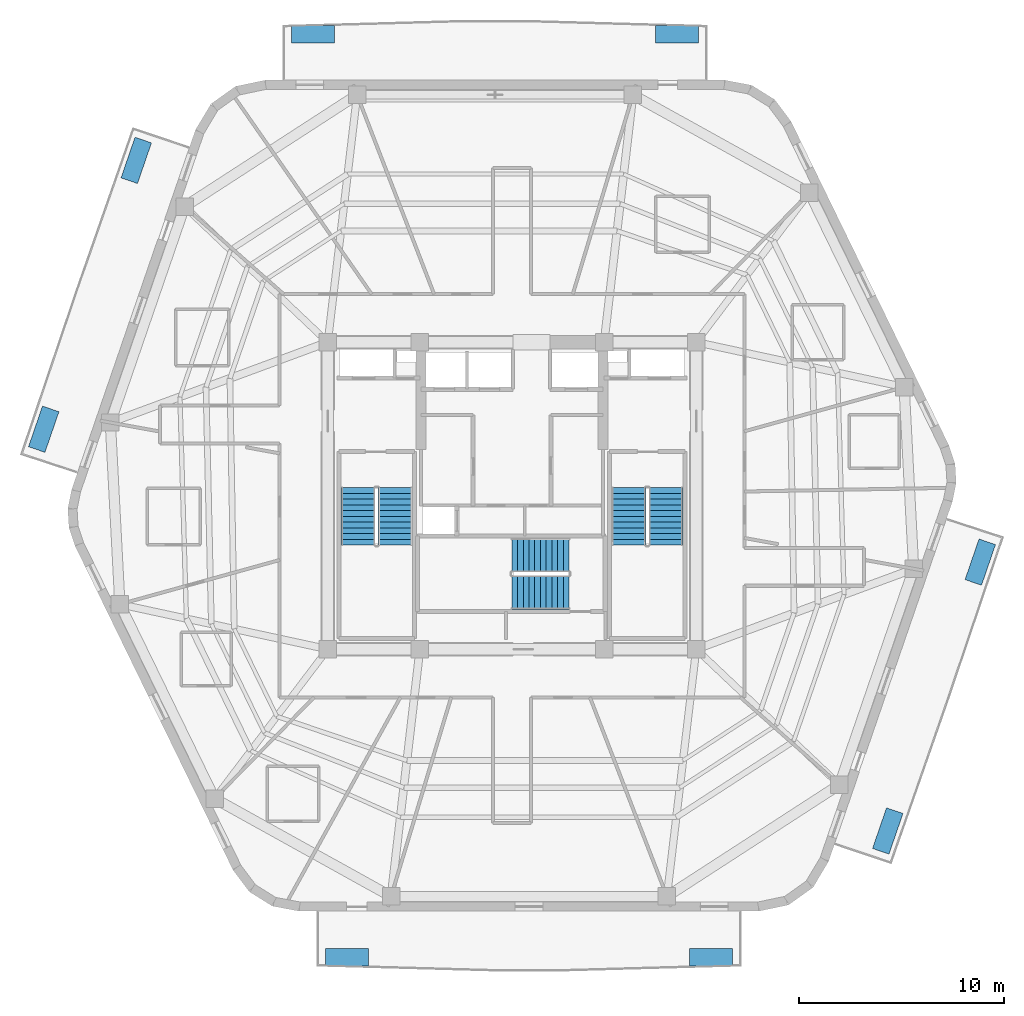
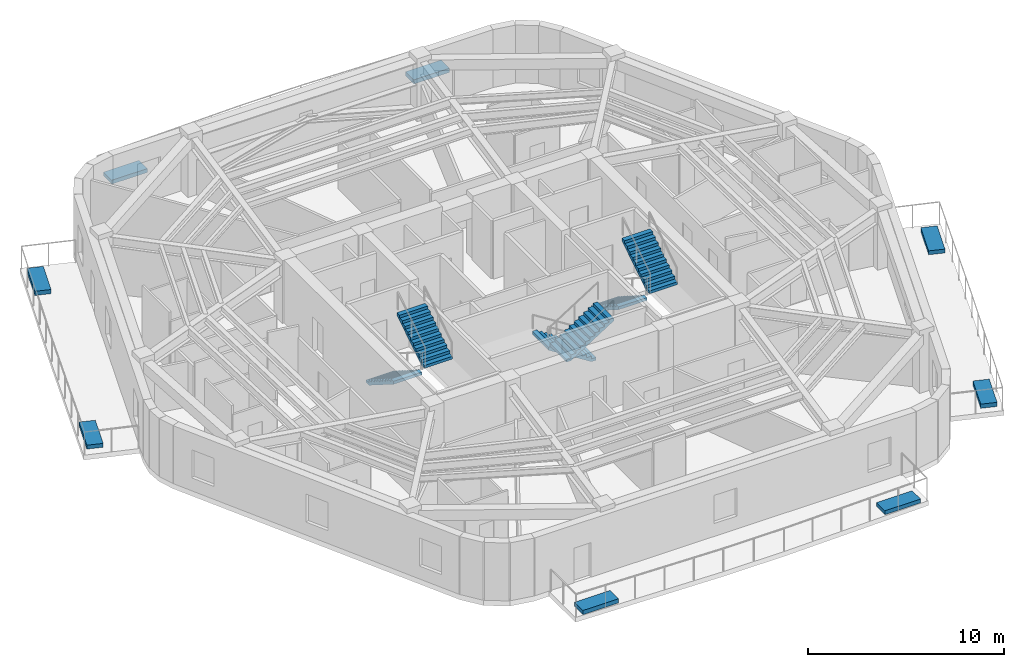
# One storey, part 7 of 9: 8 discrete accessories, 6 stair flights, 3 elements without a shape of their own.
"""IFC4 building model written with IfcOpenShell, lengths in metres."""

import ifcopenshell
import ifcopenshell.guid

model = None  # the IFC model being written
_history = None  # IfcOwnerHistory: only IFC2X3 demands one
_inside = {}  # id of a spatial element -> (the spatial element, [elements in it])
_under = {}  # id of a project, library or spatial element -> (it, [spatial elements below it])
_declared = {}  # id of a project -> (the project, [libraries it declares])
_typed = {}  # id of a type object -> (the type object, [elements of that type])
_made_of = {}  # id of a material, layer set ... -> (it, [elements and type objects made of it])


def new_model(schema):
    """Start an empty IFC model of exactly this schema.

    Asked for "IFC4X3", IfcOpenShell would pick the latest addendum, in which some entities
    have other attributes; the version numbers below select the first issue.
    IFC2X3 requires an IfcOwnerHistory on every rooted entity: one is made here for all.
    """
    global model, _history
    if schema == "IFC4X3":
        model = ifcopenshell.file(schema_version=(4, 3, 0, 0))
    else:
        model = ifcopenshell.file(schema=schema)
    _inside.clear()
    _under.clear()
    _declared.clear()
    _typed.clear()
    _made_of.clear()
    _history = None
    if model.schema == "IFC2X3":
        org = make("IfcOrganization", Name="unknown")
        user = make(
            "IfcPersonAndOrganization",
            ThePerson=make("IfcPerson", FamilyName="unknown"),
            TheOrganization=org,
        )
        app = make(
            "IfcApplication",
            ApplicationDeveloper=org,
            Version="unknown",
            ApplicationFullName="unknown",
            ApplicationIdentifier="unknown",
        )
        _history = make(
            "IfcOwnerHistory",
            OwningUser=user,
            OwningApplication=app,
            ChangeAction="ADDED",
            CreationDate=0,
        )
    return model


def make(cls, **values):
    """One entity of the class cls with the attributes given. An attribute that is None is left unset."""
    return model.create_entity(
        cls, **{name: value for name, value in values.items() if value is not None}
    )


def rooted(cls, **values):
    """An entity with a GlobalId (a new one), such as an element, a storey or a relation."""
    return make(cls, GlobalId=ifcopenshell.guid.new(), OwnerHistory=_history, **values)


def si_unit(unit_type, name, prefix=None):
    """IfcSIUnit, for example si_unit("LENGTHUNIT", "METRE", prefix="MILLI")."""
    return make("IfcSIUnit", UnitType=unit_type, Prefix=prefix, Name=name)


def assignment(units):
    """IfcUnitAssignment: the units of a project."""
    return None if units is None else make("IfcUnitAssignment", Units=units)


def point(xyz):
    """IfcCartesianPoint."""
    return None if xyz is None else make("IfcCartesianPoint", Coordinates=xyz)


def direction(xyz):
    """IfcDirection."""
    return None if xyz is None else make("IfcDirection", DirectionRatios=xyz)


def frame(location, z_axis=None, x_axis=None):
    """IfcAxis2Placement3D, a coordinate frame: its origin and axes. An axis left out is left unset."""
    return make(
        "IfcAxis2Placement3D",
        Location=point(location),
        Axis=direction(z_axis),
        RefDirection=direction(x_axis),
    )


def frame_2d(location, x_axis=None):
    """IfcAxis2Placement2D, a coordinate frame in the plane: its origin and x axis."""
    return make(
        "IfcAxis2Placement2D", Location=point(location), RefDirection=direction(x_axis)
    )


def origin():
    """The frame at (0, 0, 0) with its axes left unset."""
    return frame((0.0, 0.0, 0.0))


def origin_2d():
    """The frame at (0, 0) in the plane with its x axis left unset."""
    return frame_2d((0.0, 0.0))


def place(relative_to, where):
    """IfcLocalPlacement: puts the frame where relative to a parent placement (None: the world)."""
    return make(
        "IfcLocalPlacement", PlacementRelTo=relative_to, RelativePlacement=where
    )


def context(
    kind, dimensions, precision=None, world=None, true_north=None, identifier=None
):
    """IfcGeometricRepresentationContext, for example the 3D "Model" context."""
    return make(
        "IfcGeometricRepresentationContext",
        ContextIdentifier=identifier,
        ContextType=kind,
        CoordinateSpaceDimension=dimensions,
        Precision=precision,
        WorldCoordinateSystem=world,
        TrueNorth=true_north,
    )


def subcontext(parent, identifier, kind, view, scale=None):
    """IfcGeometricRepresentationSubContext, for example "Body" below "Model"."""
    return make(
        "IfcGeometricRepresentationSubContext",
        ContextIdentifier=identifier,
        ContextType=kind,
        ParentContext=parent,
        TargetScale=scale,
        TargetView=view,
    )


def project(units=None, contexts=None):
    """IfcProject with its units and contexts."""
    return rooted(
        "IfcProject",
        Name="project",
        RepresentationContexts=contexts,
        UnitsInContext=assignment(units),
    )


def spatial(cls, under=None, at=None, **own):
    """A site, building, storey or space (cls), placed at a placement, below another one or the project."""
    s = rooted(cls, ObjectPlacement=at, **own)
    if under is not None:
        _under.setdefault(under.id(), (under, []))[1].append(s)
    return s


def polyline(points):
    """IfcPolyline through the points."""
    return make("IfcPolyline", Points=[point(p) for p in points])


def profile(cls, at=None, kind="AREA", **sizes):
    """A parametric profile (cls). Its sizes go by their IFC names, for example OverallWidth=200.0."""
    return make(cls, ProfileType=kind, Position=at, **sizes)


def rectangle(**sizes):
    """IfcRectangleProfileDef."""
    return profile("IfcRectangleProfileDef", **sizes)


def outline(outer, holes=None, kind="AREA"):
    """IfcArbitraryClosedProfileDef: a profile drawn as a closed curve; with holes, ...WithVoids."""
    if holes is None:
        return make("IfcArbitraryClosedProfileDef", ProfileType=kind, OuterCurve=outer)
    return make(
        "IfcArbitraryProfileDefWithVoids",
        ProfileType=kind,
        OuterCurve=outer,
        InnerCurves=holes,
    )


def extrude(swept, where, along, depth):
    """IfcExtrudedAreaSolid: the profile swept, set in the frame where, extruded along a direction by depth."""
    return make(
        "IfcExtrudedAreaSolid",
        SweptArea=swept,
        Position=where,
        ExtrudedDirection=direction(along),
        Depth=depth,
    )


def shape(context_of_items, identifier, shape_type, items):
    """IfcShapeRepresentation: the items that make up one representation, for example the "Body"."""
    return make(
        "IfcShapeRepresentation",
        ContextOfItems=context_of_items,
        RepresentationIdentifier=identifier,
        RepresentationType=shape_type,
        Items=items,
    )


def material(Name=None, Category=None):
    """IfcMaterial."""
    return make("IfcMaterial", Name=Name, Category=Category)


def made_of(thing, what):
    """Note that an element or type object is made of a material, layer set ...; save() writes the relation."""
    if what is not None:
        _made_of.setdefault(what.id(), (what, []))[1].append(thing)
    return thing


def type_object(cls, material=None, **own):
    """A type object (cls), such as IfcWallType, which elements share."""
    return made_of(rooted(cls, **own), material)


def element(
    cls,
    number,
    at=None,
    inside=None,
    cuts=None,
    type_object=None,
    material=None,
    context=None,
    identifier="Body",
    shape_type=None,
    held_by="IfcProductDefinitionShape",
    body=None,
    shapes=None,
    **own,
):
    """One element of the class cls, such as IfcWall. Its Tag is "e" and its number.

    at: its placement. inside: the storey or other place that contains it. cuts: it is an
    opening in that element (IfcRelVoidsElement). A single representation is given by context,
    identifier, shape_type and body (its items); several are given by shapes. held_by: the class
    of the entity that holds the representations. save() writes the other relations.
    """
    e = rooted(cls, Tag="e%d" % number, ObjectPlacement=at, **own)
    if body is not None:
        shapes = [shape(context, identifier, shape_type, body)]
    if shapes is not None:
        e.Representation = make(held_by, Representations=shapes)
    if inside is not None:
        _inside.setdefault(inside.id(), (inside, []))[1].append(e)
    if cuts is not None:
        rooted(
            "IfcRelVoidsElement", RelatingBuildingElement=cuts, RelatedOpeningElement=e
        )
    if type_object is not None:
        _typed.setdefault(type_object.id(), (type_object, []))[1].append(e)
    return made_of(e, material)


def aggregate(whole, parts):
    """IfcRelAggregates: a whole, such as a stair, and the parts it consists of."""
    return rooted("IfcRelAggregates", RelatingObject=whole, RelatedObjects=parts)


def save(model, path):
    """Write the relations noted so far, then the file.

    IfcRelAggregates (storeys below a building ...), IfcRelContainedInSpatialStructure (elements
    in a storey), IfcRelDefinesByType, IfcRelAssociatesMaterial and IfcRelDeclares: one each for
    every whole, place, type object, material and project.
    """
    for whole, parts in _under.values():
        aggregate(whole, parts)
    for where, things in _inside.values():
        rooted(
            "IfcRelContainedInSpatialStructure",
            RelatedElements=things,
            RelatingStructure=where,
        )
    for kind, things in _typed.values():
        rooted("IfcRelDefinesByType", RelatedObjects=things, RelatingType=kind)
    for what, things in _made_of.values():
        rooted("IfcRelAssociatesMaterial", RelatedObjects=things, RelatingMaterial=what)
    for by, libraries in _declared.values():
        rooted("IfcRelDeclares", RelatingContext=by, RelatedDefinitions=libraries)
    model.write(path)


model = new_model("IFC4")

# Units and contexts
model_context = context("Model", 3, precision=1e-05, world=origin(), true_north=direction((0.0, 1.0)))
body_context = subcontext(model_context, "Body", "Model", "MODEL_VIEW")
ifc_project = project(units=[si_unit("LENGTHUNIT", "METRE"), si_unit("AREAUNIT", "SQUARE_METRE"), si_unit("VOLUMEUNIT", "CUBIC_METRE"), si_unit("PLANEANGLEUNIT", "RADIAN"), si_unit("MASSUNIT", "GRAM", prefix="KILO")], contexts=[model_context])

# Site, building, storey
site_placement = place(None, origin())
site = spatial("IfcSite", under=ifc_project, at=site_placement, CompositionType="ELEMENT")
building_placement = place(site_placement, origin())
building = spatial("IfcBuilding", under=site, at=building_placement, Name="Kilnhurst Terrace Hotel", CompositionType="ELEMENT")
storey_placement = place(building_placement, frame((0.0, 0.0, 297.60009765625)))
storey = spatial("IfcBuildingStorey", under=building, at=storey_placement, Name="L74", CompositionType="ELEMENT", Elevation=297.60009765625)

# Stair, stair flights
ifc_material_1 = material(Name="Concrete C50/60", Category="concrete")
stair_type = type_object("IfcStairType", Name="STR-CORE-1660", PredefinedType="HALF_TURN_STAIR", material=ifc_material_1)
stair_1_placement = place(storey_placement, origin())
stair_1 = element("IfcStair", 1, at=stair_1_placement, inside=storey, type_object=stair_type, Name="L74 ST-1", PredefinedType="HALF_TURN_STAIR")
stair_flight_type = type_object("IfcStairFlightType", Name="FLT-RC-1660", PredefinedType="STRAIGHT", material=ifc_material_1)
stair_flight_1_placement = place(storey_placement, frame((-7.52001953125, 0.389892578125, 0.0), z_axis=(0.0, 0.0, 1.0), x_axis=(0.0, -1.0, 0.0)))
stair_flight_1 = element("IfcStairFlight", 2, at=stair_flight_1_placement, type_object=stair_flight_type, Name="ST-1 flight 1", NumberOfRisers=11, NumberOfTreads=10, PredefinedType="STRAIGHT", RiserHeight=0.177272727, TreadLength=0.28, context=body_context, shape_type="SweptSolid", body=[
    extrude(outline(polyline([(0.0, 0.0), (0.0, 0.17724609375), (0.280029296875, 0.17724609375), (0.280029296875, 0.3544921875), (0.56005859375, 0.3544921875), (0.56005859375, 0.53173828125), (0.840087890625, 0.53173828125), (0.840087890625, 0.708984375), (1.1201171875, 0.708984375), (1.1201171875, 0.886474609375), (1.39990234375, 0.886474609375), (1.39990234375, 1.063720703125), (1.679931640625, 1.063720703125), (1.679931640625, 1.240966796875), (1.9599609375, 1.240966796875), (1.9599609375, 1.418212890625), (2.239990234375, 1.418212890625), (2.239990234375, 1.595458984375), (2.52001953125, 1.595458984375), (2.52001953125, 1.772705078125), (2.800048828125, 1.772705078125), (2.800048828125, 1.949951171875), (2.800048828125, 1.59521484375), (0.2802734375, 0.0), (0.0, 0.0)])), frame((0.0, 0.830078125, 0.0), z_axis=(0.0, -1.0, 0.0), x_axis=(1.0, 0.0, 0.0)), (0.0, 0.0, 1.0), 1.659912109375),
])
stair_flight_2_placement = place(storey_placement, frame((-5.7099609375, -2.409912109375, 1.949951171875), z_axis=(0.0, 0.0, 1.0), x_axis=(0.0, 1.0, 0.0)))
stair_flight_2 = element("IfcStairFlight", 3, at=stair_flight_2_placement, type_object=stair_flight_type, Name="ST-1 flight 2", NumberOfRisers=11, NumberOfTreads=10, PredefinedType="STRAIGHT", RiserHeight=0.177272727, TreadLength=0.28, context=body_context, shape_type="SweptSolid", body=[
    extrude(outline(polyline([(0.0, 0.0), (0.0, 0.17724609375), (0.280029296875, 0.17724609375), (0.280029296875, 0.3544921875), (0.56005859375, 0.3544921875), (0.56005859375, 0.53173828125), (0.840087890625, 0.53173828125), (0.840087890625, 0.708984375), (1.1201171875, 0.708984375), (1.1201171875, 0.886474609375), (1.39990234375, 0.886474609375), (1.39990234375, 1.063720703125), (1.679931640625, 1.063720703125), (1.679931640625, 1.240966796875), (1.9599609375, 1.240966796875), (1.9599609375, 1.418212890625), (2.239990234375, 1.418212890625), (2.239990234375, 1.595458984375), (2.52001953125, 1.595458984375), (2.52001953125, 1.772705078125), (2.800048828125, 1.772705078125), (2.800048828125, 1.949951171875), (2.800048828125, 1.59521484375), (0.2802734375, 0.0), (0.0, 0.0)])), frame((0.0, 0.830078125, 0.0), z_axis=(0.0, -1.0, 0.0), x_axis=(1.0, 0.0, 0.0)), (0.0, 0.0, 1.0), 1.659912109375),
])
aggregate(stair_1, [stair_flight_1, stair_flight_2])

stair_2_placement = place(storey_placement, origin())
stair_2 = element("IfcStair", 4, at=stair_2_placement, inside=storey, type_object=stair_type, Name="L74 ST-2", PredefinedType="HALF_TURN_STAIR")
stair_flight_3_placement = place(storey_placement, frame((5.7099609375, 0.389892578125, 0.0), z_axis=(0.0, 0.0, 1.0), x_axis=(0.0, -1.0, 0.0)))
stair_flight_3 = element("IfcStairFlight", 5, at=stair_flight_3_placement, type_object=stair_flight_type, Name="ST-2 flight 1", NumberOfRisers=11, NumberOfTreads=10, PredefinedType="STRAIGHT", RiserHeight=0.177272727, TreadLength=0.28, context=body_context, shape_type="SweptSolid", body=[
    extrude(outline(polyline([(0.0, 0.0), (0.0, 0.17724609375), (0.280029296875, 0.17724609375), (0.280029296875, 0.3544921875), (0.56005859375, 0.3544921875), (0.56005859375, 0.53173828125), (0.840087890625, 0.53173828125), (0.840087890625, 0.708984375), (1.1201171875, 0.708984375), (1.1201171875, 0.886474609375), (1.39990234375, 0.886474609375), (1.39990234375, 1.063720703125), (1.679931640625, 1.063720703125), (1.679931640625, 1.240966796875), (1.9599609375, 1.240966796875), (1.9599609375, 1.418212890625), (2.239990234375, 1.418212890625), (2.239990234375, 1.595458984375), (2.52001953125, 1.595458984375), (2.52001953125, 1.772705078125), (2.800048828125, 1.772705078125), (2.800048828125, 1.949951171875), (2.800048828125, 1.59521484375), (0.2802734375, 0.0), (0.0, 0.0)])), frame((0.0, 0.830078125, 0.0), z_axis=(0.0, -1.0, 0.0), x_axis=(1.0, 0.0, 0.0)), (0.0, 0.0, 1.0), 1.659912109375),
])
stair_flight_4_placement = place(storey_placement, frame((7.52001953125, -2.409912109375, 1.949951171875), z_axis=(0.0, 0.0, 1.0), x_axis=(0.0, 1.0, 0.0)))
stair_flight_4 = element("IfcStairFlight", 6, at=stair_flight_4_placement, type_object=stair_flight_type, Name="ST-2 flight 2", NumberOfRisers=11, NumberOfTreads=10, PredefinedType="STRAIGHT", RiserHeight=0.177272727, TreadLength=0.28, context=body_context, shape_type="SweptSolid", body=[
    extrude(outline(polyline([(0.0, 0.0), (0.0, 0.17724609375), (0.280029296875, 0.17724609375), (0.280029296875, 0.3544921875), (0.56005859375, 0.3544921875), (0.56005859375, 0.53173828125), (0.840087890625, 0.53173828125), (0.840087890625, 0.708984375), (1.1201171875, 0.708984375), (1.1201171875, 0.886474609375), (1.39990234375, 0.886474609375), (1.39990234375, 1.063720703125), (1.679931640625, 1.063720703125), (1.679931640625, 1.240966796875), (1.9599609375, 1.240966796875), (1.9599609375, 1.418212890625), (2.239990234375, 1.418212890625), (2.239990234375, 1.595458984375), (2.52001953125, 1.595458984375), (2.52001953125, 1.772705078125), (2.800048828125, 1.772705078125), (2.800048828125, 1.949951171875), (2.800048828125, 1.59521484375), (0.2802734375, 0.0), (0.0, 0.0)])), frame((0.0, 0.830078125, 0.0), z_axis=(0.0, -1.0, 0.0), x_axis=(1.0, 0.0, 0.0)), (0.0, 0.0, 1.0), 1.659912109375),
])
aggregate(stair_2, [stair_flight_3, stair_flight_4])

stair_3_placement = place(storey_placement, origin())
stair_3 = element("IfcStair", 7, at=stair_3_placement, inside=storey, type_object=stair_type, Name="L74 ST-3", PredefinedType="HALF_TURN_STAIR")
stair_flight_5_placement = place(storey_placement, frame((2.7900390625, -2.909912109375, 0.0), z_axis=(0.0, 0.0, 1.0), x_axis=(-1.0, 0.0, 0.0)))
stair_flight_5 = element("IfcStairFlight", 8, at=stair_flight_5_placement, type_object=stair_flight_type, Name="ST-3 flight 1", NumberOfRisers=11, NumberOfTreads=10, PredefinedType="STRAIGHT", RiserHeight=0.177272727, TreadLength=0.28, context=body_context, shape_type="SweptSolid", body=[
    extrude(outline(polyline([(0.0, 0.0), (0.0, 0.17724609375), (0.280029296875, 0.17724609375), (0.280029296875, 0.3544921875), (0.56005859375, 0.3544921875), (0.56005859375, 0.53173828125), (0.840087890625, 0.53173828125), (0.840087890625, 0.708984375), (1.1201171875, 0.708984375), (1.1201171875, 0.886474609375), (1.39990234375, 0.886474609375), (1.39990234375, 1.063720703125), (1.679931640625, 1.063720703125), (1.679931640625, 1.240966796875), (1.9599609375, 1.240966796875), (1.9599609375, 1.418212890625), (2.239990234375, 1.418212890625), (2.239990234375, 1.595458984375), (2.52001953125, 1.595458984375), (2.52001953125, 1.772705078125), (2.800048828125, 1.772705078125), (2.800048828125, 1.949951171875), (2.800048828125, 1.59521484375), (0.2802734375, 0.0), (0.0, 0.0)])), frame((0.0, 0.830078125, 0.0), z_axis=(0.0, -1.0, 0.0), x_axis=(1.0, 0.0, 0.0)), (0.0, 0.0, 1.0), 1.659912109375),
])
stair_flight_6_placement = place(storey_placement, frame((-0.010009765625, -4.719970703125, 1.949951171875), z_axis=(0.0, 0.0, 1.0), x_axis=(1.0, 0.0, 0.0)))
stair_flight_6 = element("IfcStairFlight", 9, at=stair_flight_6_placement, type_object=stair_flight_type, Name="ST-3 flight 2", NumberOfRisers=11, NumberOfTreads=10, PredefinedType="STRAIGHT", RiserHeight=0.177272727, TreadLength=0.28, context=body_context, shape_type="SweptSolid", body=[
    extrude(outline(polyline([(0.0, 0.0), (0.0, 0.17724609375), (0.280029296875, 0.17724609375), (0.280029296875, 0.3544921875), (0.56005859375, 0.3544921875), (0.56005859375, 0.53173828125), (0.840087890625, 0.53173828125), (0.840087890625, 0.708984375), (1.1201171875, 0.708984375), (1.1201171875, 0.886474609375), (1.39990234375, 0.886474609375), (1.39990234375, 1.063720703125), (1.679931640625, 1.063720703125), (1.679931640625, 1.240966796875), (1.9599609375, 1.240966796875), (1.9599609375, 1.418212890625), (2.239990234375, 1.418212890625), (2.239990234375, 1.595458984375), (2.52001953125, 1.595458984375), (2.52001953125, 1.772705078125), (2.800048828125, 1.772705078125), (2.800048828125, 1.949951171875), (2.800048828125, 1.59521484375), (0.2802734375, 0.0), (0.0, 0.0)])), frame((0.0, 0.830078125, 0.0), z_axis=(0.0, -1.0, 0.0), x_axis=(1.0, 0.0, 0.0)), (0.0, 0.0, 1.0), 1.659912109375),
])
aggregate(stair_3, [stair_flight_5, stair_flight_6])

# Discrete accessories
ifc_material_2 = material(Name="Precast Concrete C40/50 Shrub Planter", Category="concrete")
discrete_accessory_type_1 = type_object("IfcDiscreteAccessoryType", Name="PLN-SHRUB-240", PredefinedType="USERDEFINED", material=ifc_material_2)
for number, where, z_axis, x_axis, name in (
    (10, (9.711669921875, -22.550048828125, 0.0), (0.0, 0.0, 1.0), (1.0, 0.0, 0.0), "L74 Structural Tree Planter Box PLANTER BAL-L1A.2"),
    (11, (22.8779296875, -3.246826171875, 0.0), (0.0, 0.0, 1.0), (0.325403125376, 0.94557538356, 0.0), "L74 Structural Tree Planter Box PLANTER BAL-L1B.2"),
    (12, (-9.711669921875, 22.550048828125, 0.0), (0.0, 0.0, 1.0), (-1.0, 0.0, 0.0), "L74 Structural Tree Planter Box PLANTER BAL-L2A.2"),
    (13, (-22.8779296875, 3.246826171875, 0.0), (0.0, 0.0, 1.0), (-0.325403125376, -0.94557538356, 0.0), "L74 Structural Tree Planter Box PLANTER BAL-L2B.2"),
):
    element("IfcDiscreteAccessory", number, at=place(storey_placement, frame(where, z_axis=z_axis, x_axis=x_axis)), inside=storey, type_object=discrete_accessory_type_1, Name=name, ObjectType="PLANTER", PredefinedType="USERDEFINED", context=body_context, shape_type="SweptSolid", body=[
        extrude(rectangle(XDim=2.10009765625, YDim=0.85009765625, at=origin_2d()), origin(), (0.0, 0.0, 1.0), 0.239990234375),
    ])
ifc_material_3 = material(Name="Precast Concrete C40/50 Tree Planter", Category="concrete")
discrete_accessory_type_2 = type_object("IfcDiscreteAccessoryType", Name="PLN-TREE-260", PredefinedType="USERDEFINED", material=ifc_material_3)
for number, where, z_axis, x_axis, name in (
    (14, (-8.0498046875, -22.550048828125, 0.0), (0.0, 0.0, 1.0), (1.0, 0.0, 0.0), "L74 Structural Tree Planter Box PLANTER BAL-L1A.1"),
    (15, (18.35791015625, -16.381591796875, 0.0), (0.0, 0.0, 1.0), (0.325403125376, 0.94557538356, 0.0), "L74 Structural Tree Planter Box PLANTER BAL-L1B.1"),
    (16, (8.0498046875, 22.550048828125, 0.0), (0.0, 0.0, 1.0), (-1.0, 0.0, 0.0), "L74 Structural Tree Planter Box PLANTER BAL-L2A.1"),
    (17, (-18.35791015625, 16.381591796875, 0.0), (0.0, 0.0, 1.0), (-0.325403125376, -0.94557538356, 0.0), "L74 Structural Tree Planter Box PLANTER BAL-L2B.1"),
):
    element("IfcDiscreteAccessory", number, at=place(storey_placement, frame(where, z_axis=z_axis, x_axis=x_axis)), inside=storey, type_object=discrete_accessory_type_2, Name=name, ObjectType="PLANTER", PredefinedType="USERDEFINED", context=body_context, shape_type="SweptSolid", body=[
        extrude(rectangle(XDim=2.10009765625, YDim=0.85009765625, at=origin_2d()), origin(), (0.0, 0.0, 1.0), 0.260009765625),
    ])

save(model, "model.ifc")
